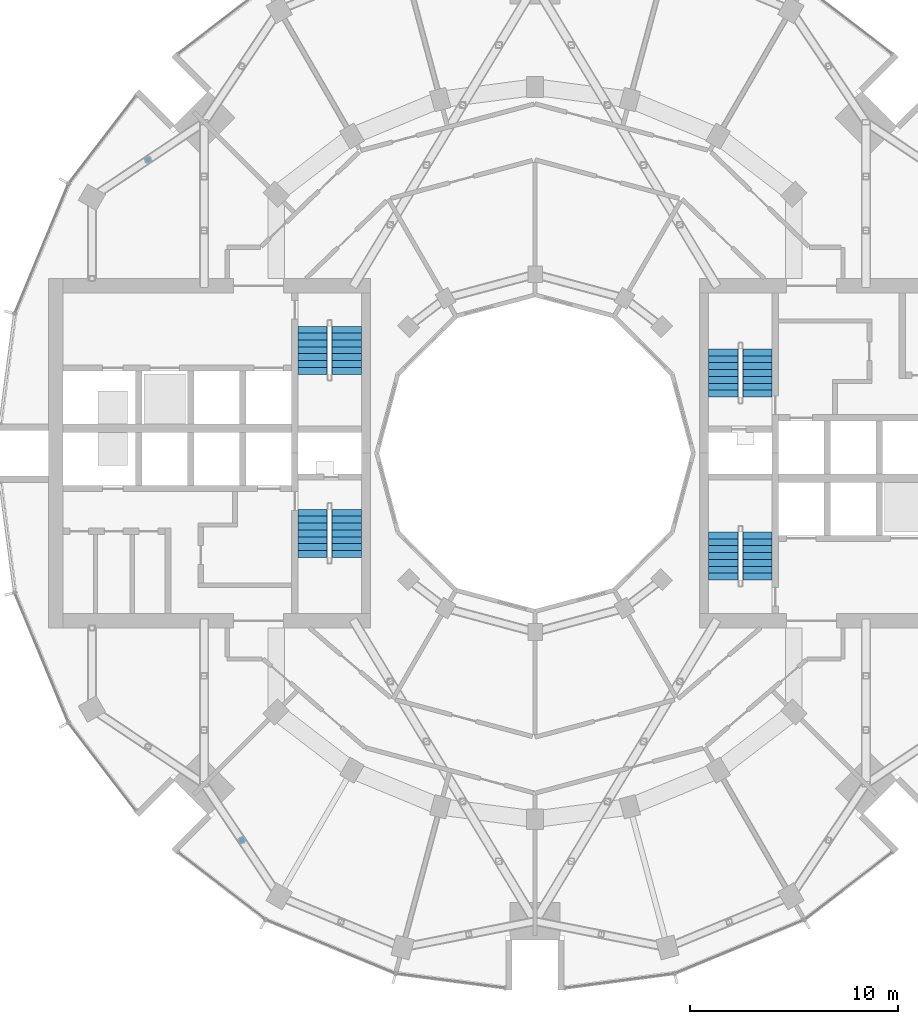
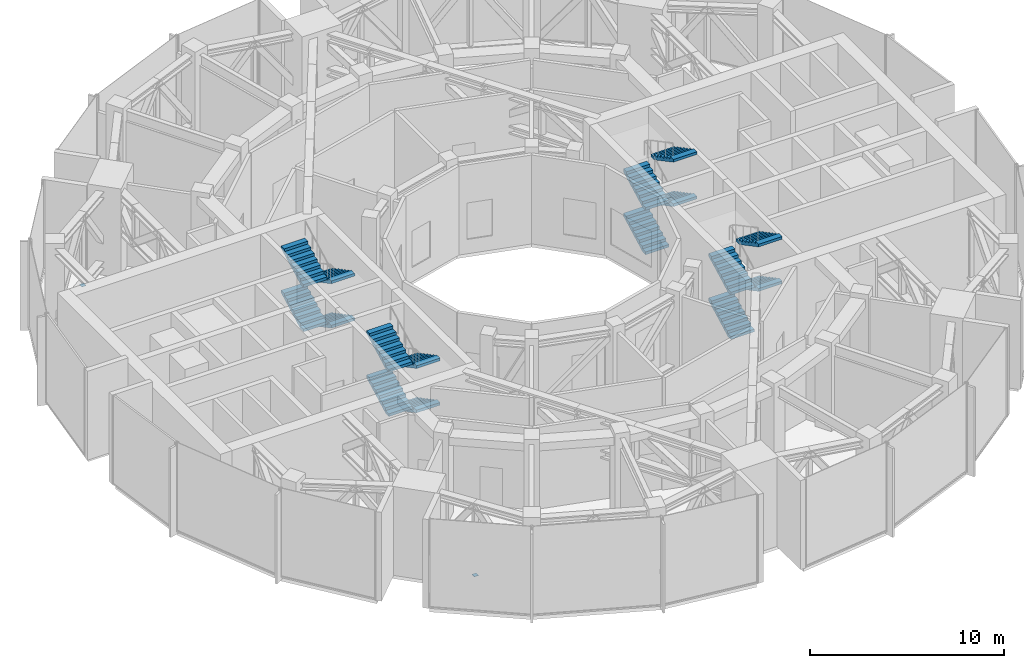
# One storey, part 16 of 18: 16 stair flights, 2 discrete accessories, 4 elements without a shape of their own.
"""IFC4 building model written with IfcOpenShell, lengths in metres."""

import ifcopenshell
import ifcopenshell.guid

model = None  # the IFC model being written
_history = None  # IfcOwnerHistory: only IFC2X3 demands one
_inside = {}  # id of a spatial element -> (the spatial element, [elements in it])
_under = {}  # id of a project, library or spatial element -> (it, [spatial elements below it])
_declared = {}  # id of a project -> (the project, [libraries it declares])
_typed = {}  # id of a type object -> (the type object, [elements of that type])
_made_of = {}  # id of a material, layer set ... -> (it, [elements and type objects made of it])


def new_model(schema):
    """Start an empty IFC model of exactly this schema.

    Asked for "IFC4X3", IfcOpenShell would pick the latest addendum, in which some entities
    have other attributes; the version numbers below select the first issue.
    IFC2X3 requires an IfcOwnerHistory on every rooted entity: one is made here for all.
    """
    global model, _history
    if schema == "IFC4X3":
        model = ifcopenshell.file(schema_version=(4, 3, 0, 0))
    else:
        model = ifcopenshell.file(schema=schema)
    _inside.clear()
    _under.clear()
    _declared.clear()
    _typed.clear()
    _made_of.clear()
    _history = None
    if model.schema == "IFC2X3":
        org = make("IfcOrganization", Name="unknown")
        user = make(
            "IfcPersonAndOrganization",
            ThePerson=make("IfcPerson", FamilyName="unknown"),
            TheOrganization=org,
        )
        app = make(
            "IfcApplication",
            ApplicationDeveloper=org,
            Version="unknown",
            ApplicationFullName="unknown",
            ApplicationIdentifier="unknown",
        )
        _history = make(
            "IfcOwnerHistory",
            OwningUser=user,
            OwningApplication=app,
            ChangeAction="ADDED",
            CreationDate=0,
        )
    return model


def make(cls, **values):
    """One entity of the class cls with the attributes given. An attribute that is None is left unset."""
    return model.create_entity(
        cls, **{name: value for name, value in values.items() if value is not None}
    )


def rooted(cls, **values):
    """An entity with a GlobalId (a new one), such as an element, a storey or a relation."""
    return make(cls, GlobalId=ifcopenshell.guid.new(), OwnerHistory=_history, **values)


def si_unit(unit_type, name, prefix=None):
    """IfcSIUnit, for example si_unit("LENGTHUNIT", "METRE", prefix="MILLI")."""
    return make("IfcSIUnit", UnitType=unit_type, Prefix=prefix, Name=name)


def assignment(units):
    """IfcUnitAssignment: the units of a project."""
    return None if units is None else make("IfcUnitAssignment", Units=units)


def point(xyz):
    """IfcCartesianPoint."""
    return None if xyz is None else make("IfcCartesianPoint", Coordinates=xyz)


def direction(xyz):
    """IfcDirection."""
    return None if xyz is None else make("IfcDirection", DirectionRatios=xyz)


def frame(location, z_axis=None, x_axis=None):
    """IfcAxis2Placement3D, a coordinate frame: its origin and axes. An axis left out is left unset."""
    return make(
        "IfcAxis2Placement3D",
        Location=point(location),
        Axis=direction(z_axis),
        RefDirection=direction(x_axis),
    )


def frame_2d(location, x_axis=None):
    """IfcAxis2Placement2D, a coordinate frame in the plane: its origin and x axis."""
    return make(
        "IfcAxis2Placement2D", Location=point(location), RefDirection=direction(x_axis)
    )


def origin():
    """The frame at (0, 0, 0) with its axes left unset."""
    return frame((0.0, 0.0, 0.0))


def origin_2d():
    """The frame at (0, 0) in the plane with its x axis left unset."""
    return frame_2d((0.0, 0.0))


def place(relative_to, where):
    """IfcLocalPlacement: puts the frame where relative to a parent placement (None: the world)."""
    return make(
        "IfcLocalPlacement", PlacementRelTo=relative_to, RelativePlacement=where
    )


def context(
    kind, dimensions, precision=None, world=None, true_north=None, identifier=None
):
    """IfcGeometricRepresentationContext, for example the 3D "Model" context."""
    return make(
        "IfcGeometricRepresentationContext",
        ContextIdentifier=identifier,
        ContextType=kind,
        CoordinateSpaceDimension=dimensions,
        Precision=precision,
        WorldCoordinateSystem=world,
        TrueNorth=true_north,
    )


def subcontext(parent, identifier, kind, view, scale=None):
    """IfcGeometricRepresentationSubContext, for example "Body" below "Model"."""
    return make(
        "IfcGeometricRepresentationSubContext",
        ContextIdentifier=identifier,
        ContextType=kind,
        ParentContext=parent,
        TargetScale=scale,
        TargetView=view,
    )


def project(units=None, contexts=None):
    """IfcProject with its units and contexts."""
    return rooted(
        "IfcProject",
        Name="project",
        RepresentationContexts=contexts,
        UnitsInContext=assignment(units),
    )


def spatial(cls, under=None, at=None, **own):
    """A site, building, storey or space (cls), placed at a placement, below another one or the project."""
    s = rooted(cls, ObjectPlacement=at, **own)
    if under is not None:
        _under.setdefault(under.id(), (under, []))[1].append(s)
    return s


def polyline(points):
    """IfcPolyline through the points."""
    return make("IfcPolyline", Points=[point(p) for p in points])


def profile(cls, at=None, kind="AREA", **sizes):
    """A parametric profile (cls). Its sizes go by their IFC names, for example OverallWidth=200.0."""
    return make(cls, ProfileType=kind, Position=at, **sizes)


def rectangle(**sizes):
    """IfcRectangleProfileDef."""
    return profile("IfcRectangleProfileDef", **sizes)


def outline(outer, holes=None, kind="AREA"):
    """IfcArbitraryClosedProfileDef: a profile drawn as a closed curve; with holes, ...WithVoids."""
    if holes is None:
        return make("IfcArbitraryClosedProfileDef", ProfileType=kind, OuterCurve=outer)
    return make(
        "IfcArbitraryProfileDefWithVoids",
        ProfileType=kind,
        OuterCurve=outer,
        InnerCurves=holes,
    )


def extrude(swept, where, along, depth):
    """IfcExtrudedAreaSolid: the profile swept, set in the frame where, extruded along a direction by depth."""
    return make(
        "IfcExtrudedAreaSolid",
        SweptArea=swept,
        Position=where,
        ExtrudedDirection=direction(along),
        Depth=depth,
    )


def shape(context_of_items, identifier, shape_type, items):
    """IfcShapeRepresentation: the items that make up one representation, for example the "Body"."""
    return make(
        "IfcShapeRepresentation",
        ContextOfItems=context_of_items,
        RepresentationIdentifier=identifier,
        RepresentationType=shape_type,
        Items=items,
    )


def material(Name=None, Category=None):
    """IfcMaterial."""
    return make("IfcMaterial", Name=Name, Category=Category)


def layer(
    of_material, thickness, ventilated=None, Name=None, Category=None, Priority=None
):
    """IfcMaterialLayer: one layer of a wall or slab, of a material (None: an air gap)."""
    return make(
        "IfcMaterialLayer",
        Material=of_material,
        LayerThickness=thickness,
        IsVentilated=ventilated,
        Name=Name,
        Category=Category,
        Priority=Priority,
    )


def layer_set(layers, Name=None):
    """IfcMaterialLayerSet."""
    return make("IfcMaterialLayerSet", MaterialLayers=layers, LayerSetName=Name)


def made_of(thing, what):
    """Note that an element or type object is made of a material, layer set ...; save() writes the relation."""
    if what is not None:
        _made_of.setdefault(what.id(), (what, []))[1].append(thing)
    return thing


def type_object(cls, material=None, **own):
    """A type object (cls), such as IfcWallType, which elements share."""
    return made_of(rooted(cls, **own), material)


def element(
    cls,
    number,
    at=None,
    inside=None,
    cuts=None,
    type_object=None,
    material=None,
    context=None,
    identifier="Body",
    shape_type=None,
    held_by="IfcProductDefinitionShape",
    body=None,
    shapes=None,
    **own,
):
    """One element of the class cls, such as IfcWall. Its Tag is "e" and its number.

    at: its placement. inside: the storey or other place that contains it. cuts: it is an
    opening in that element (IfcRelVoidsElement). A single representation is given by context,
    identifier, shape_type and body (its items); several are given by shapes. held_by: the class
    of the entity that holds the representations. save() writes the other relations.
    """
    e = rooted(cls, Tag="e%d" % number, ObjectPlacement=at, **own)
    if body is not None:
        shapes = [shape(context, identifier, shape_type, body)]
    if shapes is not None:
        e.Representation = make(held_by, Representations=shapes)
    if inside is not None:
        _inside.setdefault(inside.id(), (inside, []))[1].append(e)
    if cuts is not None:
        rooted(
            "IfcRelVoidsElement", RelatingBuildingElement=cuts, RelatedOpeningElement=e
        )
    if type_object is not None:
        _typed.setdefault(type_object.id(), (type_object, []))[1].append(e)
    return made_of(e, material)


def aggregate(whole, parts):
    """IfcRelAggregates: a whole, such as a stair, and the parts it consists of."""
    return rooted("IfcRelAggregates", RelatingObject=whole, RelatedObjects=parts)


def save(model, path):
    """Write the relations noted so far, then the file.

    IfcRelAggregates (storeys below a building ...), IfcRelContainedInSpatialStructure (elements
    in a storey), IfcRelDefinesByType, IfcRelAssociatesMaterial and IfcRelDeclares: one each for
    every whole, place, type object, material and project.
    """
    for whole, parts in _under.values():
        aggregate(whole, parts)
    for where, things in _inside.values():
        rooted(
            "IfcRelContainedInSpatialStructure",
            RelatedElements=things,
            RelatingStructure=where,
        )
    for kind, things in _typed.values():
        rooted("IfcRelDefinesByType", RelatedObjects=things, RelatingType=kind)
    for what, things in _made_of.values():
        rooted("IfcRelAssociatesMaterial", RelatedObjects=things, RelatingMaterial=what)
    for by, libraries in _declared.values():
        rooted("IfcRelDeclares", RelatingContext=by, RelatedDefinitions=libraries)
    model.write(path)


model = new_model("IFC4")

# Units and contexts
model_context = context("Model", 3, precision=1e-05, world=origin(), true_north=direction((0.0, 1.0)))
body_context = subcontext(model_context, "Body", "Model", "MODEL_VIEW")
ifc_project = project(units=[si_unit("LENGTHUNIT", "METRE"), si_unit("AREAUNIT", "SQUARE_METRE"), si_unit("VOLUMEUNIT", "CUBIC_METRE"), si_unit("PLANEANGLEUNIT", "RADIAN"), si_unit("MASSUNIT", "GRAM", prefix="KILO")], contexts=[model_context])

# Site, building, storey
site_placement = place(None, origin())
site = spatial("IfcSite", under=ifc_project, at=site_placement, CompositionType="ELEMENT")
building_placement = place(site_placement, origin())
building = spatial("IfcBuilding", under=site, at=building_placement, Name="Torre Brocal", CompositionType="ELEMENT")
storey_placement = place(building_placement, frame((0.0, 0.0, 109.0)))
storey = spatial("IfcBuildingStorey", under=building, at=storey_placement, Name="L25", CompositionType="ELEMENT", Elevation=109.0)

# Stair, stair flights
ifc_material_1 = material(Name="Concrete C50", Category="concrete")
stair_type = type_object("IfcStairType", Name="EXIT STAIR", PredefinedType="HALF_TURN_STAIR", material=ifc_material_1)
stair_1_placement = place(storey_placement, origin())
stair_1 = element("IfcStair", 1, at=stair_1_placement, inside=storey, type_object=stair_type, Name="EXIT STAIR ST1", PredefinedType="HALF_TURN_STAIR")
ifc_material_2 = material(Name="Concrete C50", Category="concrete")
ifc_layer = layer(ifc_material_2, 0.14990234375)
ifc_layer_set = layer_set([ifc_layer], Name="Concrete C50")
stair_flight_type = type_object("IfcStairFlightType", Name="STAIR FLIGHT", PredefinedType="STRAIGHT", material=ifc_layer_set)
stair_flight_1_placement = place(storey_placement, frame((89.050048828125, 77.699951171875, 0.0), z_axis=(0.0, 0.0, 1.0), x_axis=(0.0, 1.0, 0.0)))
stair_flight_1 = element("IfcStairFlight", 2, at=stair_flight_1_placement, type_object=stair_flight_type, Name="ST1 flight 1", NumberOfRisers=8, NumberOfTreads=7, PredefinedType="STRAIGHT", RiserHeight=0.175, TreadLength=0.33, context=body_context, shape_type="SweptSolid", body=[
    extrude(outline(polyline([(0.0, 0.0), (0.0, 0.175048828125), (0.330078125, 0.175048828125), (0.330078125, 0.35009765625), (0.659912109375, 0.35009765625), (0.659912109375, 0.52490234375), (0.989990234375, 0.52490234375), (0.989990234375, 0.699951171875), (1.320068359375, 0.699951171875), (1.320068359375, 0.875), (1.64990234375, 0.875), (1.64990234375, 1.050048828125), (1.97998046875, 1.050048828125), (1.97998046875, 1.22509765625), (2.31005859375, 1.22509765625), (2.31005859375, 1.39990234375), (2.31005859375, 1.055419921875), (0.320068359375, 0.0), (0.0, 0.0)])), frame((0.0, 0.699951171875, 0.0), z_axis=(0.0, -1.0, 0.0), x_axis=(1.0, 0.0, 0.0)), (0.0, 0.0, 1.0), 1.39990234375),
])
stair_flight_2_placement = place(storey_placement, frame((90.699951171875, 80.010009765625, 1.39990234375), z_axis=(0.0, 0.0, 1.0), x_axis=(0.0, -1.0, 0.0)))
stair_flight_2 = element("IfcStairFlight", 3, at=stair_flight_2_placement, type_object=stair_flight_type, Name="ST1 flight 2", NumberOfRisers=8, NumberOfTreads=7, PredefinedType="STRAIGHT", RiserHeight=0.175, TreadLength=0.33, context=body_context, shape_type="SweptSolid", body=[
    extrude(outline(polyline([(0.0, 0.0), (0.0, 0.175048828125), (0.330078125, 0.175048828125), (0.330078125, 0.35009765625), (0.659912109375, 0.35009765625), (0.659912109375, 0.52490234375), (0.989990234375, 0.52490234375), (0.989990234375, 0.699951171875), (1.320068359375, 0.699951171875), (1.320068359375, 0.875), (1.64990234375, 0.875), (1.64990234375, 1.050048828125), (1.97998046875, 1.050048828125), (1.97998046875, 1.22509765625), (2.31005859375, 1.22509765625), (2.31005859375, 1.39990234375), (2.31005859375, 1.055419921875), (0.320068359375, 0.0), (0.0, 0.0)])), frame((0.0, 0.699951171875, 0.0), z_axis=(0.0, -1.0, 0.0), x_axis=(1.0, 0.0, 0.0)), (0.0, 0.0, 1.0), 1.39990234375),
])
stair_flight_3_placement = place(storey_placement, frame((89.050048828125, 77.699951171875, 2.800048828125), z_axis=(0.0, 0.0, 1.0), x_axis=(0.0, 1.0, 0.0)))
stair_flight_3 = element("IfcStairFlight", 4, at=stair_flight_3_placement, type_object=stair_flight_type, Name="ST1 flight 3", NumberOfRisers=8, NumberOfTreads=7, PredefinedType="STRAIGHT", RiserHeight=0.175, TreadLength=0.33, context=body_context, shape_type="SweptSolid", body=[
    extrude(outline(polyline([(0.0, 0.0), (0.0, 0.175048828125), (0.330078125, 0.175048828125), (0.330078125, 0.35009765625), (0.659912109375, 0.35009765625), (0.659912109375, 0.52490234375), (0.989990234375, 0.52490234375), (0.989990234375, 0.699951171875), (1.320068359375, 0.699951171875), (1.320068359375, 0.875), (1.64990234375, 0.875), (1.64990234375, 1.050048828125), (1.97998046875, 1.050048828125), (1.97998046875, 1.22509765625), (2.31005859375, 1.22509765625), (2.31005859375, 1.39990234375), (2.31005859375, 1.055419921875), (0.320068359375, 0.0), (0.0, 0.0)])), frame((0.0, 0.699951171875, 0.0), z_axis=(0.0, -1.0, 0.0), x_axis=(1.0, 0.0, 0.0)), (0.0, 0.0, 1.0), 1.39990234375),
])
stair_flight_4_placement = place(storey_placement, frame((90.699951171875, 80.010009765625, 4.199951171875), z_axis=(0.0, 0.0, 1.0), x_axis=(0.0, -1.0, 0.0)))
stair_flight_4 = element("IfcStairFlight", 5, at=stair_flight_4_placement, type_object=stair_flight_type, Name="ST1 flight 4", NumberOfRisers=8, NumberOfTreads=7, PredefinedType="STRAIGHT", RiserHeight=0.175, TreadLength=0.33, context=body_context, shape_type="SweptSolid", body=[
    extrude(outline(polyline([(0.0, 0.0), (0.0, 0.175048828125), (0.330078125, 0.175048828125), (0.330078125, 0.35009765625), (0.659912109375, 0.35009765625), (0.659912109375, 0.52490234375), (0.989990234375, 0.52490234375), (0.989990234375, 0.699951171875), (1.320068359375, 0.699951171875), (1.320068359375, 0.875), (1.64990234375, 0.875), (1.64990234375, 1.050048828125), (1.97998046875, 1.050048828125), (1.97998046875, 1.22509765625), (2.31005859375, 1.22509765625), (2.31005859375, 1.39990234375), (2.31005859375, 1.055419921875), (0.320068359375, 0.0), (0.0, 0.0)])), frame((0.0, 0.699951171875, 0.0), z_axis=(0.0, -1.0, 0.0), x_axis=(1.0, 0.0, 0.0)), (0.0, 0.0, 1.0), 1.39990234375),
])
aggregate(stair_1, [stair_flight_1, stair_flight_2, stair_flight_3, stair_flight_4])

stair_2_placement = place(storey_placement, origin())
stair_2 = element("IfcStair", 6, at=stair_2_placement, inside=storey, type_object=stair_type, Name="EXIT STAIR ST2", PredefinedType="HALF_TURN_STAIR")
stair_flight_5_placement = place(storey_placement, frame((89.050048828125, 68.89990234375, 0.0), z_axis=(0.0, 0.0, 1.0), x_axis=(0.0, 1.0, 0.0)))
stair_flight_5 = element("IfcStairFlight", 7, at=stair_flight_5_placement, type_object=stair_flight_type, Name="ST2 flight 1", NumberOfRisers=8, NumberOfTreads=7, PredefinedType="STRAIGHT", RiserHeight=0.175, TreadLength=0.33, context=body_context, shape_type="SweptSolid", body=[
    extrude(outline(polyline([(0.0, 0.0), (0.0, 0.175048828125), (0.330078125, 0.175048828125), (0.330078125, 0.35009765625), (0.659912109375, 0.35009765625), (0.659912109375, 0.52490234375), (0.989990234375, 0.52490234375), (0.989990234375, 0.699951171875), (1.320068359375, 0.699951171875), (1.320068359375, 0.875), (1.64990234375, 0.875), (1.64990234375, 1.050048828125), (1.97998046875, 1.050048828125), (1.97998046875, 1.22509765625), (2.31005859375, 1.22509765625), (2.31005859375, 1.39990234375), (2.31005859375, 1.055419921875), (0.320068359375, 0.0), (0.0, 0.0)])), frame((0.0, 0.699951171875, 0.0), z_axis=(0.0, -1.0, 0.0), x_axis=(1.0, 0.0, 0.0)), (0.0, 0.0, 1.0), 1.39990234375),
])
stair_flight_6_placement = place(storey_placement, frame((90.699951171875, 71.2099609375, 1.39990234375), z_axis=(0.0, 0.0, 1.0), x_axis=(0.0, -1.0, 0.0)))
stair_flight_6 = element("IfcStairFlight", 8, at=stair_flight_6_placement, type_object=stair_flight_type, Name="ST2 flight 2", NumberOfRisers=8, NumberOfTreads=7, PredefinedType="STRAIGHT", RiserHeight=0.175, TreadLength=0.33, context=body_context, shape_type="SweptSolid", body=[
    extrude(outline(polyline([(0.0, 0.0), (0.0, 0.175048828125), (0.330078125, 0.175048828125), (0.330078125, 0.35009765625), (0.659912109375, 0.35009765625), (0.659912109375, 0.52490234375), (0.989990234375, 0.52490234375), (0.989990234375, 0.699951171875), (1.320068359375, 0.699951171875), (1.320068359375, 0.875), (1.64990234375, 0.875), (1.64990234375, 1.050048828125), (1.97998046875, 1.050048828125), (1.97998046875, 1.22509765625), (2.31005859375, 1.22509765625), (2.31005859375, 1.39990234375), (2.31005859375, 1.055419921875), (0.320068359375, 0.0), (0.0, 0.0)])), frame((0.0, 0.699951171875, 0.0), z_axis=(0.0, -1.0, 0.0), x_axis=(1.0, 0.0, 0.0)), (0.0, 0.0, 1.0), 1.39990234375),
])
stair_flight_7_placement = place(storey_placement, frame((89.050048828125, 68.89990234375, 2.800048828125), z_axis=(0.0, 0.0, 1.0), x_axis=(0.0, 1.0, 0.0)))
stair_flight_7 = element("IfcStairFlight", 9, at=stair_flight_7_placement, type_object=stair_flight_type, Name="ST2 flight 3", NumberOfRisers=8, NumberOfTreads=7, PredefinedType="STRAIGHT", RiserHeight=0.175, TreadLength=0.33, context=body_context, shape_type="SweptSolid", body=[
    extrude(outline(polyline([(0.0, 0.0), (0.0, 0.175048828125), (0.330078125, 0.175048828125), (0.330078125, 0.35009765625), (0.659912109375, 0.35009765625), (0.659912109375, 0.52490234375), (0.989990234375, 0.52490234375), (0.989990234375, 0.699951171875), (1.320068359375, 0.699951171875), (1.320068359375, 0.875), (1.64990234375, 0.875), (1.64990234375, 1.050048828125), (1.97998046875, 1.050048828125), (1.97998046875, 1.22509765625), (2.31005859375, 1.22509765625), (2.31005859375, 1.39990234375), (2.31005859375, 1.055419921875), (0.320068359375, 0.0), (0.0, 0.0)])), frame((0.0, 0.699951171875, 0.0), z_axis=(0.0, -1.0, 0.0), x_axis=(1.0, 0.0, 0.0)), (0.0, 0.0, 1.0), 1.39990234375),
])
stair_flight_8_placement = place(storey_placement, frame((90.699951171875, 71.2099609375, 4.199951171875), z_axis=(0.0, 0.0, 1.0), x_axis=(0.0, -1.0, 0.0)))
stair_flight_8 = element("IfcStairFlight", 10, at=stair_flight_8_placement, type_object=stair_flight_type, Name="ST2 flight 4", NumberOfRisers=8, NumberOfTreads=7, PredefinedType="STRAIGHT", RiserHeight=0.175, TreadLength=0.33, context=body_context, shape_type="SweptSolid", body=[
    extrude(outline(polyline([(0.0, 0.0), (0.0, 0.175048828125), (0.330078125, 0.175048828125), (0.330078125, 0.35009765625), (0.659912109375, 0.35009765625), (0.659912109375, 0.52490234375), (0.989990234375, 0.52490234375), (0.989990234375, 0.699951171875), (1.320068359375, 0.699951171875), (1.320068359375, 0.875), (1.64990234375, 0.875), (1.64990234375, 1.050048828125), (1.97998046875, 1.050048828125), (1.97998046875, 1.22509765625), (2.31005859375, 1.22509765625), (2.31005859375, 1.39990234375), (2.31005859375, 1.055419921875), (0.320068359375, 0.0), (0.0, 0.0)])), frame((0.0, 0.699951171875, 0.0), z_axis=(0.0, -1.0, 0.0), x_axis=(1.0, 0.0, 0.0)), (0.0, 0.0, 1.0), 1.39990234375),
])
aggregate(stair_2, [stair_flight_5, stair_flight_6, stair_flight_7, stair_flight_8])

stair_3_placement = place(storey_placement, origin())
stair_3 = element("IfcStair", 11, at=stair_3_placement, inside=storey, type_object=stair_type, Name="EXIT STAIR ST3", PredefinedType="HALF_TURN_STAIR")
stair_flight_9_placement = place(storey_placement, frame((70.949951171875, 72.300048828125, 0.0), z_axis=(0.0, 0.0, 1.0), x_axis=(0.0, -1.0, 0.0)))
stair_flight_9 = element("IfcStairFlight", 12, at=stair_flight_9_placement, type_object=stair_flight_type, Name="ST3 flight 1", NumberOfRisers=8, NumberOfTreads=7, PredefinedType="STRAIGHT", RiserHeight=0.175, TreadLength=0.33, context=body_context, shape_type="SweptSolid", body=[
    extrude(outline(polyline([(0.0, 0.0), (0.0, 0.175048828125), (0.330078125, 0.175048828125), (0.330078125, 0.35009765625), (0.659912109375, 0.35009765625), (0.659912109375, 0.52490234375), (0.989990234375, 0.52490234375), (0.989990234375, 0.699951171875), (1.320068359375, 0.699951171875), (1.320068359375, 0.875), (1.64990234375, 0.875), (1.64990234375, 1.050048828125), (1.97998046875, 1.050048828125), (1.97998046875, 1.22509765625), (2.31005859375, 1.22509765625), (2.31005859375, 1.39990234375), (2.31005859375, 1.055419921875), (0.320068359375, 0.0), (0.0, 0.0)])), frame((0.0, 0.699951171875, 0.0), z_axis=(0.0, -1.0, 0.0), x_axis=(1.0, 0.0, 0.0)), (0.0, 0.0, 1.0), 1.39990234375),
])
stair_flight_10_placement = place(storey_placement, frame((69.300048828125, 69.989990234375, 1.39990234375), z_axis=(0.0, 0.0, 1.0), x_axis=(0.0, 1.0, 0.0)))
stair_flight_10 = element("IfcStairFlight", 13, at=stair_flight_10_placement, type_object=stair_flight_type, Name="ST3 flight 2", NumberOfRisers=8, NumberOfTreads=7, PredefinedType="STRAIGHT", RiserHeight=0.175, TreadLength=0.33, context=body_context, shape_type="SweptSolid", body=[
    extrude(outline(polyline([(0.0, 0.0), (0.0, 0.175048828125), (0.330078125, 0.175048828125), (0.330078125, 0.35009765625), (0.659912109375, 0.35009765625), (0.659912109375, 0.52490234375), (0.989990234375, 0.52490234375), (0.989990234375, 0.699951171875), (1.320068359375, 0.699951171875), (1.320068359375, 0.875), (1.64990234375, 0.875), (1.64990234375, 1.050048828125), (1.97998046875, 1.050048828125), (1.97998046875, 1.22509765625), (2.31005859375, 1.22509765625), (2.31005859375, 1.39990234375), (2.31005859375, 1.055419921875), (0.320068359375, 0.0), (0.0, 0.0)])), frame((0.0, 0.699951171875, 0.0), z_axis=(0.0, -1.0, 0.0), x_axis=(1.0, 0.0, 0.0)), (0.0, 0.0, 1.0), 1.39990234375),
])
stair_flight_11_placement = place(storey_placement, frame((70.949951171875, 72.300048828125, 2.800048828125), z_axis=(0.0, 0.0, 1.0), x_axis=(0.0, -1.0, 0.0)))
stair_flight_11 = element("IfcStairFlight", 14, at=stair_flight_11_placement, type_object=stair_flight_type, Name="ST3 flight 3", NumberOfRisers=8, NumberOfTreads=7, PredefinedType="STRAIGHT", RiserHeight=0.175, TreadLength=0.33, context=body_context, shape_type="SweptSolid", body=[
    extrude(outline(polyline([(0.0, 0.0), (0.0, 0.175048828125), (0.330078125, 0.175048828125), (0.330078125, 0.35009765625), (0.659912109375, 0.35009765625), (0.659912109375, 0.52490234375), (0.989990234375, 0.52490234375), (0.989990234375, 0.699951171875), (1.320068359375, 0.699951171875), (1.320068359375, 0.875), (1.64990234375, 0.875), (1.64990234375, 1.050048828125), (1.97998046875, 1.050048828125), (1.97998046875, 1.22509765625), (2.31005859375, 1.22509765625), (2.31005859375, 1.39990234375), (2.31005859375, 1.055419921875), (0.320068359375, 0.0), (0.0, 0.0)])), frame((0.0, 0.699951171875, 0.0), z_axis=(0.0, -1.0, 0.0), x_axis=(1.0, 0.0, 0.0)), (0.0, 0.0, 1.0), 1.39990234375),
])
stair_flight_12_placement = place(storey_placement, frame((69.300048828125, 69.989990234375, 4.199951171875), z_axis=(0.0, 0.0, 1.0), x_axis=(0.0, 1.0, 0.0)))
stair_flight_12 = element("IfcStairFlight", 15, at=stair_flight_12_placement, type_object=stair_flight_type, Name="ST3 flight 4", NumberOfRisers=8, NumberOfTreads=7, PredefinedType="STRAIGHT", RiserHeight=0.175, TreadLength=0.33, context=body_context, shape_type="SweptSolid", body=[
    extrude(outline(polyline([(0.0, 0.0), (0.0, 0.175048828125), (0.330078125, 0.175048828125), (0.330078125, 0.35009765625), (0.659912109375, 0.35009765625), (0.659912109375, 0.52490234375), (0.989990234375, 0.52490234375), (0.989990234375, 0.699951171875), (1.320068359375, 0.699951171875), (1.320068359375, 0.875), (1.64990234375, 0.875), (1.64990234375, 1.050048828125), (1.97998046875, 1.050048828125), (1.97998046875, 1.22509765625), (2.31005859375, 1.22509765625), (2.31005859375, 1.39990234375), (2.31005859375, 1.055419921875), (0.320068359375, 0.0), (0.0, 0.0)])), frame((0.0, 0.699951171875, 0.0), z_axis=(0.0, -1.0, 0.0), x_axis=(1.0, 0.0, 0.0)), (0.0, 0.0, 1.0), 1.39990234375),
])
aggregate(stair_3, [stair_flight_9, stair_flight_10, stair_flight_11, stair_flight_12])

stair_4_placement = place(storey_placement, origin())
stair_4 = element("IfcStair", 16, at=stair_4_placement, inside=storey, type_object=stair_type, Name="EXIT STAIR ST4", PredefinedType="HALF_TURN_STAIR")
stair_flight_13_placement = place(storey_placement, frame((70.949951171875, 81.10009765625, 0.0), z_axis=(0.0, 0.0, 1.0), x_axis=(0.0, -1.0, 0.0)))
stair_flight_13 = element("IfcStairFlight", 17, at=stair_flight_13_placement, type_object=stair_flight_type, Name="ST4 flight 1", NumberOfRisers=8, NumberOfTreads=7, PredefinedType="STRAIGHT", RiserHeight=0.175, TreadLength=0.33, context=body_context, shape_type="SweptSolid", body=[
    extrude(outline(polyline([(0.0, 0.0), (0.0, 0.175048828125), (0.330078125, 0.175048828125), (0.330078125, 0.35009765625), (0.659912109375, 0.35009765625), (0.659912109375, 0.52490234375), (0.989990234375, 0.52490234375), (0.989990234375, 0.699951171875), (1.320068359375, 0.699951171875), (1.320068359375, 0.875), (1.64990234375, 0.875), (1.64990234375, 1.050048828125), (1.97998046875, 1.050048828125), (1.97998046875, 1.22509765625), (2.31005859375, 1.22509765625), (2.31005859375, 1.39990234375), (2.31005859375, 1.055419921875), (0.320068359375, 0.0), (0.0, 0.0)])), frame((0.0, 0.699951171875, 0.0), z_axis=(0.0, -1.0, 0.0), x_axis=(1.0, 0.0, 0.0)), (0.0, 0.0, 1.0), 1.39990234375),
])
stair_flight_14_placement = place(storey_placement, frame((69.300048828125, 78.7900390625, 1.39990234375), z_axis=(0.0, 0.0, 1.0), x_axis=(0.0, 1.0, 0.0)))
stair_flight_14 = element("IfcStairFlight", 18, at=stair_flight_14_placement, type_object=stair_flight_type, Name="ST4 flight 2", NumberOfRisers=8, NumberOfTreads=7, PredefinedType="STRAIGHT", RiserHeight=0.175, TreadLength=0.33, context=body_context, shape_type="SweptSolid", body=[
    extrude(outline(polyline([(0.0, 0.0), (0.0, 0.175048828125), (0.330078125, 0.175048828125), (0.330078125, 0.35009765625), (0.659912109375, 0.35009765625), (0.659912109375, 0.52490234375), (0.989990234375, 0.52490234375), (0.989990234375, 0.699951171875), (1.320068359375, 0.699951171875), (1.320068359375, 0.875), (1.64990234375, 0.875), (1.64990234375, 1.050048828125), (1.97998046875, 1.050048828125), (1.97998046875, 1.22509765625), (2.31005859375, 1.22509765625), (2.31005859375, 1.39990234375), (2.31005859375, 1.055419921875), (0.320068359375, 0.0), (0.0, 0.0)])), frame((0.0, 0.699951171875, 0.0), z_axis=(0.0, -1.0, 0.0), x_axis=(1.0, 0.0, 0.0)), (0.0, 0.0, 1.0), 1.39990234375),
])
stair_flight_15_placement = place(storey_placement, frame((70.949951171875, 81.10009765625, 2.800048828125), z_axis=(0.0, 0.0, 1.0), x_axis=(0.0, -1.0, 0.0)))
stair_flight_15 = element("IfcStairFlight", 19, at=stair_flight_15_placement, type_object=stair_flight_type, Name="ST4 flight 3", NumberOfRisers=8, NumberOfTreads=7, PredefinedType="STRAIGHT", RiserHeight=0.175, TreadLength=0.33, context=body_context, shape_type="SweptSolid", body=[
    extrude(outline(polyline([(0.0, 0.0), (0.0, 0.175048828125), (0.330078125, 0.175048828125), (0.330078125, 0.35009765625), (0.659912109375, 0.35009765625), (0.659912109375, 0.52490234375), (0.989990234375, 0.52490234375), (0.989990234375, 0.699951171875), (1.320068359375, 0.699951171875), (1.320068359375, 0.875), (1.64990234375, 0.875), (1.64990234375, 1.050048828125), (1.97998046875, 1.050048828125), (1.97998046875, 1.22509765625), (2.31005859375, 1.22509765625), (2.31005859375, 1.39990234375), (2.31005859375, 1.055419921875), (0.320068359375, 0.0), (0.0, 0.0)])), frame((0.0, 0.699951171875, 0.0), z_axis=(0.0, -1.0, 0.0), x_axis=(1.0, 0.0, 0.0)), (0.0, 0.0, 1.0), 1.39990234375),
])
stair_flight_16_placement = place(storey_placement, frame((69.300048828125, 78.7900390625, 4.199951171875), z_axis=(0.0, 0.0, 1.0), x_axis=(0.0, 1.0, 0.0)))
stair_flight_16 = element("IfcStairFlight", 20, at=stair_flight_16_placement, type_object=stair_flight_type, Name="ST4 flight 4", NumberOfRisers=8, NumberOfTreads=7, PredefinedType="STRAIGHT", RiserHeight=0.175, TreadLength=0.33, context=body_context, shape_type="SweptSolid", body=[
    extrude(outline(polyline([(0.0, 0.0), (0.0, 0.175048828125), (0.330078125, 0.175048828125), (0.330078125, 0.35009765625), (0.659912109375, 0.35009765625), (0.659912109375, 0.52490234375), (0.989990234375, 0.52490234375), (0.989990234375, 0.699951171875), (1.320068359375, 0.699951171875), (1.320068359375, 0.875), (1.64990234375, 0.875), (1.64990234375, 1.050048828125), (1.97998046875, 1.050048828125), (1.97998046875, 1.22509765625), (2.31005859375, 1.22509765625), (2.31005859375, 1.39990234375), (2.31005859375, 1.055419921875), (0.320068359375, 0.0), (0.0, 0.0)])), frame((0.0, 0.699951171875, 0.0), z_axis=(0.0, -1.0, 0.0), x_axis=(1.0, 0.0, 0.0)), (0.0, 0.0, 1.0), 1.39990234375),
])
aggregate(stair_4, [stair_flight_13, stair_flight_14, stair_flight_15, stair_flight_16])

# Discrete accessories
ifc_material_3 = material(Name="Steel A500 Grade C", Category="steel")
discrete_accessory_type = type_object("IfcDiscreteAccessoryType", Name="TRUSS POST END CAP", PredefinedType="NOTDEFINED", material=ifc_material_3)
for number, where, z_axis, x_axis, name in (
    (21, (61.392822265625, 89.10498046875, 0.6123046875), (0.0, 0.0, 1.0), (1.0, 0.0, 0.0), "Discrete Accessory BT1-P08C"),
    (22, (65.89501953125, 56.392822265625, 0.6123046875), (0.0, 0.0, 1.0), (1.0, 0.0, 0.0), "Discrete Accessory BT1-P12C"),
):
    element("IfcDiscreteAccessory", number, at=place(storey_placement, frame(where, z_axis=z_axis, x_axis=x_axis)), inside=storey, type_object=discrete_accessory_type, Name=name, PredefinedType="NOTDEFINED", context=body_context, shape_type="SweptSolid", body=[
        extrude(rectangle(XDim=0.25390625, YDim=0.25390625, at=origin_2d()), origin(), (0.0, 0.0, 1.0), 0.02001953125),
    ])

save(model, "model.ifc")
